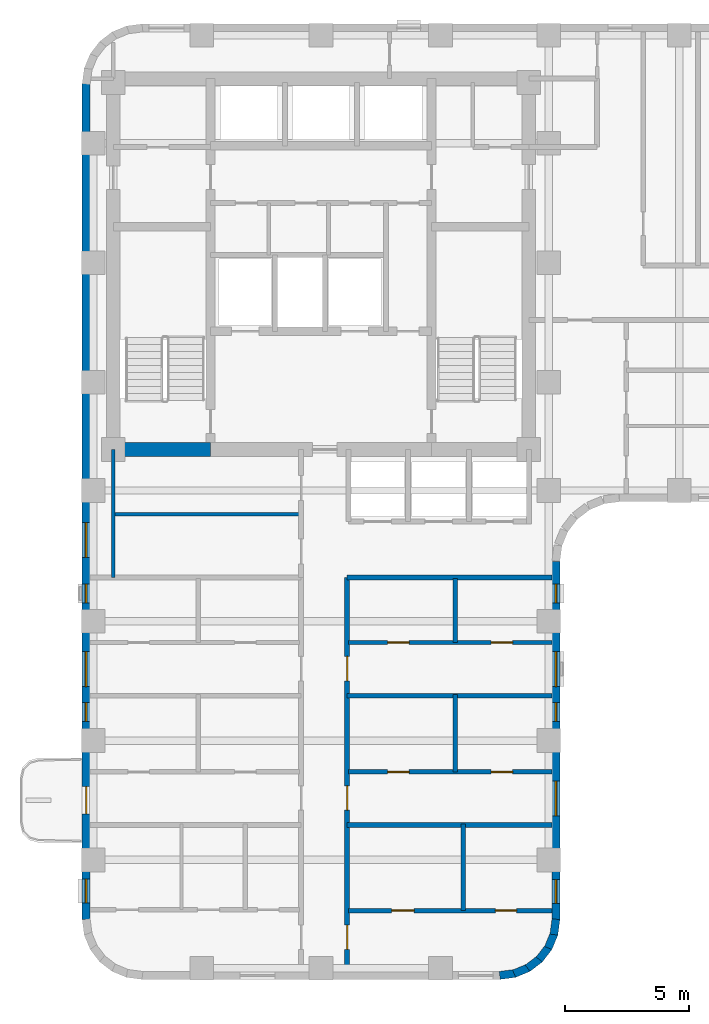
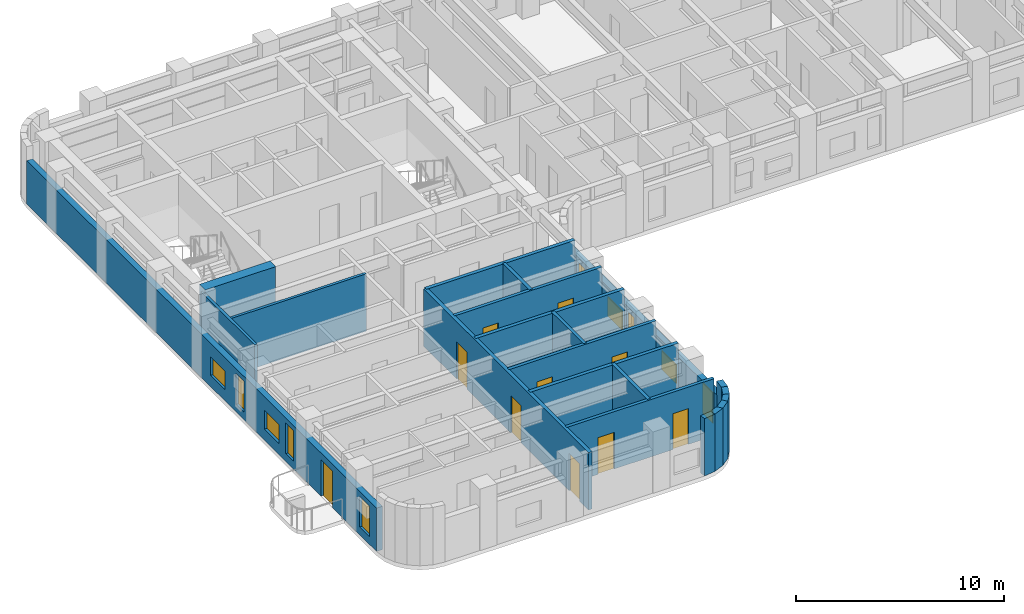
# One storey, part 3 of 10: 21 walls, 10 doors, 10 windows, 20 openings.
"""IFC4 building model written with IfcOpenShell, lengths in metres."""

from ifc_helpers import new_model, si_unit, direction, frame, frame_2d, origin, place, context, subcontext, project, spatial, rectangle, extrude, material, layer, layer_set, type_object, element, fill, save


model = new_model("IFC4")

# Units and contexts
model_context = context("Model", 3, precision=1e-05, world=origin(), true_north=direction((0.0, 1.0)))
body_context = subcontext(model_context, "Body", "Model", "MODEL_VIEW")
ifc_project = project(units=[si_unit("LENGTHUNIT", "METRE"), si_unit("AREAUNIT", "SQUARE_METRE"), si_unit("VOLUMEUNIT", "CUBIC_METRE"), si_unit("PLANEANGLEUNIT", "RADIAN"), si_unit("MASSUNIT", "GRAM", prefix="KILO")], contexts=[model_context])

# Site, building, storey
site_placement = place(None, origin())
site = spatial("IfcSite", under=ifc_project, at=site_placement, CompositionType="ELEMENT")
building_placement = place(site_placement, origin())
building = spatial("IfcBuilding", under=site, at=building_placement, Name="Orvandelia Arch Residences", CompositionType="ELEMENT")
storey_placement = place(building_placement, frame((0.0, 0.0, 114.39990234375)))
storey = spatial("IfcBuildingStorey", under=building, at=storey_placement, Name="L29", CompositionType="ELEMENT", Elevation=114.39990234375)

# Wall
ifc_material_1 = material(Name="Concrete C60/75", Category="concrete")
ifc_layer_1 = layer(ifc_material_1, 0.550048828125, Name="Concrete C60/75", Category="concrete")
ifc_layer_set_1 = layer_set([ifc_layer_1], Name="Concrete C60/75")
wall_type_1 = type_object("IfcWallType", Name="WL-CORE-550", PredefinedType="SHEAR", material=ifc_layer_set_1)
wall_1_placement = place(storey_placement, frame((6.050048828125, 30.89990234375, 0.0), z_axis=(0.0, 0.0, 1.0), x_axis=(1.0, 0.0, 0.0)))
element("IfcWall", 1, at=wall_1_placement, inside=storey, type_object=wall_type_1, Name="Core Shear Wall L29-SW", PredefinedType="SHEAR", context=body_context, shape_type="SweptSolid", body=[
    extrude(rectangle(XDim=3.909912109375, YDim=0.550048828125, at=frame_2d((1.955078125, 0.0))), origin(), (0.0, 0.0, 1.0), 3.60009765625),
])

# Wall, openings, doors
ifc_material_2 = material(Name="Fire-Rated Corridor Partition")
ifc_layer_2 = layer(ifc_material_2, 0.199951171875, Name="Fire-Rated Corridor Partition")
ifc_layer_set_2 = layer_set([ifc_layer_2], Name="Fire-Rated Corridor Partition")
wall_type_2 = type_object("IfcWallType", Name="WL-CORR-200", PredefinedType="PARTITIONING", material=ifc_layer_set_2)
wall_2_placement = place(storey_placement, frame((15.449951171875, 9.919921875, 0.0), z_axis=(0.0, 0.0, 1.0), x_axis=(0.0, 1.0, 0.0)))
wall_2 = element("IfcWall", 2, at=wall_2_placement, inside=storey, type_object=wall_type_2, Name="Interior Partition Wall WL-L29-WC-E", PredefinedType="PARTITIONING", context=body_context, shape_type="SweptSolid", body=[
    extrude(rectangle(XDim=15.830078125, YDim=0.199951171875, at=frame_2d((7.9150390625, 0.0))), origin(), (0.0, 0.0, 1.0), 3.360107421875),
])
opening_1_placement = place(wall_2_placement, frame((0.881103515625, 0.0, 0.0)))
opening_1 = element("IfcOpeningElement", 3, at=opening_1_placement, cuts=wall_2, Name="Opening D1", PredefinedType="OPENING", context=body_context, shape_type="SweptSolid", body=[
    extrude(rectangle(XDim=0.97998046875, YDim=2.179931640625, at=frame_2d((0.489990234375, 1.08984375))), frame((0.0, 0.10986328125, 0.0), z_axis=(0.0, -1.0, 0.0), x_axis=(1.0, 0.0, 0.0)), (0.0, 0.0, 1.0), 0.219970703125),
])
opening_2_placement = place(wall_2_placement, frame((6.47998046875, 0.0, 0.0)))
opening_2 = element("IfcOpeningElement", 4, at=opening_2_placement, cuts=wall_2, Name="Opening D1", PredefinedType="OPENING", context=body_context, shape_type="SweptSolid", body=[
    extrude(rectangle(XDim=0.97998046875, YDim=2.179931640625, at=frame_2d((0.489990234375, 1.08984375))), frame((0.0, 0.10986328125, 0.0), z_axis=(0.0, -1.0, 0.0), x_axis=(1.0, 0.0, 0.0)), (0.0, 0.0, 1.0), 0.219970703125),
])
opening_3_placement = place(wall_2_placement, frame((11.679931640625, 0.0, 0.0)))
opening_3 = element("IfcOpeningElement", 5, at=opening_3_placement, cuts=wall_2, Name="Opening D1", PredefinedType="OPENING", context=body_context, shape_type="SweptSolid", body=[
    extrude(rectangle(XDim=0.97998046875, YDim=2.179931640625, at=frame_2d((0.489990234375, 1.08984375))), frame((0.0, 0.10986328125, 0.0), z_axis=(0.0, -1.0, 0.0), x_axis=(1.0, 0.0, 0.0)), (0.0, 0.0, 1.0), 0.219970703125),
])
ifc_material_3 = material(Name="Solid-Core Timber Acoustic Fire Door", Category="wood")
door_type_1 = type_object("IfcDoorType", Name="DR-ENT-980", OperationType="NOTDEFINED", PredefinedType="DOOR", material=ifc_material_3)
door_1_placement = place(opening_1_placement, origin())
door_1 = element("IfcDoor", 6, at=door_1_placement, inside=storey, type_object=door_type_1, Name="Unit L29-04 Entrance Door", OperationType="SINGLE_SWING_RIGHT", OverallHeight=2.179931640625, OverallWidth=0.97998046875, PredefinedType="DOOR", context=body_context, shape_type="SweptSolid", body=[
    extrude(rectangle(XDim=0.97998046875, YDim=2.179931640625, at=frame_2d((0.489990234375, 1.08984375))), frame((0.0, 0.02490234375, 0.0), z_axis=(0.0, -1.0, 0.0), x_axis=(1.0, 0.0, 0.0)), (0.0, 0.0, 1.0), 0.050048828125),
])
fill(opening_1, door_1)
door_2_placement = place(opening_2_placement, origin())
door_2 = element("IfcDoor", 7, at=door_2_placement, inside=storey, type_object=door_type_1, Name="Unit L29-05 Entrance Door", OperationType="SINGLE_SWING_LEFT", OverallHeight=2.179931640625, OverallWidth=0.97998046875, PredefinedType="DOOR", context=body_context, shape_type="SweptSolid", body=[
    extrude(rectangle(XDim=0.97998046875, YDim=2.179931640625, at=frame_2d((0.489990234375, 1.08984375))), frame((0.0, 0.02490234375, 0.0), z_axis=(0.0, -1.0, 0.0), x_axis=(1.0, 0.0, 0.0)), (0.0, 0.0, 1.0), 0.050048828125),
])
fill(opening_2, door_2)
door_3_placement = place(opening_3_placement, origin())
door_3 = element("IfcDoor", 8, at=door_3_placement, inside=storey, type_object=door_type_1, Name="Unit L29-06 Entrance Door", OperationType="SINGLE_SWING_RIGHT", OverallHeight=2.179931640625, OverallWidth=0.97998046875, PredefinedType="DOOR", context=body_context, shape_type="SweptSolid", body=[
    extrude(rectangle(XDim=0.97998046875, YDim=2.179931640625, at=frame_2d((0.489990234375, 1.08984375))), frame((0.0, 0.02490234375, 0.0), z_axis=(0.0, -1.0, 0.0), x_axis=(1.0, 0.0, 0.0)), (0.0, 0.0, 1.0), 0.050048828125),
])
fill(opening_3, door_3)

# Walls
wall_3_placement = place(storey_placement, frame((15.449951171875, 25.75, 0.0), z_axis=(0.0, 0.0, 1.0), x_axis=(1.0, 0.0, 0.0)))
element("IfcWall", 9, at=wall_3_placement, inside=storey, type_object=wall_type_2, Name="Interior Partition Wall WL-L29-WCLS-E", PredefinedType="PARTITIONING", context=body_context, shape_type="SweptSolid", body=[
    extrude(rectangle(XDim=8.22998046875, YDim=0.199951171875, at=frame_2d((4.114990234375, 0.0))), origin(), (0.0, 0.0, 1.0), 3.360107421875),
])
ifc_material_4 = material(Name="Concrete C40/50", Category="concrete")
ifc_layer_3 = layer(ifc_material_4, 0.199951171875, Name="Concrete C40/50", Category="concrete")
ifc_layer_set_3 = layer_set([ifc_layer_3], Name="Concrete C40/50")
wall_type_3 = type_object("IfcWallType", Name="WL-DEM-200", PredefinedType="SOLIDWALL", material=ifc_layer_set_3)
for number, where, z_axis, x_axis, name in (
    (10, (15.449951171875, 15.800048828125, 0.0), (0.0, 0.0, 1.0), (1.0, 0.0, 0.0), "Interior Partition Wall WL-L29-DEM-WR-158"),
    (11, (15.449951171875, 21.0, 0.0), (0.0, 0.0, 1.0), (1.0, 0.0, 0.0), "Interior Partition Wall WL-L29-DEM-WR-210"),
):
    element("IfcWall", number, at=place(storey_placement, frame(where, z_axis=z_axis, x_axis=x_axis)), inside=storey, type_object=wall_type_3, Name=name, PredefinedType="SOLIDWALL", context=body_context, shape_type="SweptSolid", body=[
        extrude(rectangle(XDim=8.22998046875, YDim=0.199951171875, at=frame_2d((4.114990234375, 0.0))), origin(), (0.0, 0.0, 1.0), 3.360107421875),
    ])

# Wall, openings, windows
ifc_material_5 = material(Name="Precast concrete C40/50", Category="concrete")
ifc_layer_4 = layer(ifc_material_5, 0.320068359375, Name="Precast concrete C40/50", Category="concrete")
ifc_layer_set_4 = layer_set([ifc_layer_4], Name="Precast concrete C40/50")
wall_type_4 = type_object("IfcWallType", Name="WL-EXT-STONE-320", PredefinedType="STANDARD", material=ifc_layer_set_4)
wall_4_placement = place(storey_placement, frame((23.840087890625, 26.39990234375, 0.0), z_axis=(0.0, 0.0, 1.0), x_axis=(0.0, -1.0, 0.0)))
wall_4 = element("IfcWall", 12, at=wall_4_placement, inside=storey, type_object=wall_type_4, Name="Coral-Limestone Precast Facade Wall L29-028", PredefinedType="STANDARD", context=body_context, shape_type="SweptSolid", body=[
    extrude(rectangle(XDim=14.39990234375, YDim=0.320068359375, at=frame_2d((7.199951171875, 0.0))), origin(), (0.0, 0.0, 1.0), 2.5400390625),
])
opening_4_placement = place(wall_4_placement, frame((8.830078125, 0.0, 0.64990234375)))
opening_4 = element("IfcOpeningElement", 13, at=opening_4_placement, cuts=wall_4, Name="Opening W10", PredefinedType="OPENING", context=body_context, shape_type="SweptSolid", body=[
    extrude(rectangle(XDim=1.39990234375, YDim=1.10009765625, at=frame_2d((0.699951171875, 0.550048828125))), frame((0.0, 0.169921875, 0.0), z_axis=(0.0, -1.0, 0.0), x_axis=(1.0, 0.0, 0.0)), (0.0, 0.0, 1.0), 0.340087890625),
])
opening_5_placement = place(wall_4_placement, frame((3.6298828125, 0.0, 0.64990234375)))
opening_5 = element("IfcOpeningElement", 14, at=opening_5_placement, cuts=wall_4, Name="Opening W10", PredefinedType="OPENING", context=body_context, shape_type="SweptSolid", body=[
    extrude(rectangle(XDim=1.39990234375, YDim=1.10009765625, at=frame_2d((0.699951171875, 0.550048828125))), frame((0.0, 0.169921875, 0.0), z_axis=(0.0, -1.0, 0.0), x_axis=(1.0, 0.0, 0.0)), (0.0, 0.0, 1.0), 0.340087890625),
])
opening_6_placement = place(wall_4_placement, frame((12.79052734375, 0.0, 0.449951171875)))
opening_6 = element("IfcOpeningElement", 15, at=opening_6_placement, cuts=wall_4, Name="Opening W4", PredefinedType="OPENING", context=body_context, shape_type="SweptSolid", body=[
    extrude(rectangle(XDim=0.949951171875, YDim=1.800048828125, at=frame_2d((0.47509765625, 0.89990234375))), frame((0.0, 0.169921875, 0.0), z_axis=(0.0, -1.0, 0.0), x_axis=(1.0, 0.0, 0.0)), (0.0, 0.0, 1.0), 0.340087890625),
])
opening_7_placement = place(wall_4_placement, frame((5.677490234375, 0.0, 0.449951171875)))
opening_7 = element("IfcOpeningElement", 16, at=opening_7_placement, cuts=wall_4, Name="Opening W11", PredefinedType="OPENING", context=body_context, shape_type="SweptSolid", body=[
    extrude(rectangle(XDim=0.75, YDim=1.800048828125, at=frame_2d((0.375, 0.89990234375))), frame((0.0, 0.169921875, 0.0), z_axis=(0.0, -1.0, 0.0), x_axis=(1.0, 0.0, 0.0)), (0.0, 0.0, 1.0), 0.340087890625),
])
opening_8_placement = place(wall_4_placement, frame((0.91748046875, 0.0, 0.449951171875)))
opening_8 = element("IfcOpeningElement", 17, at=opening_8_placement, cuts=wall_4, Name="Opening W11", PredefinedType="OPENING", context=body_context, shape_type="SweptSolid", body=[
    extrude(rectangle(XDim=0.75, YDim=1.800048828125, at=frame_2d((0.375, 0.89990234375))), frame((0.0, 0.169921875, 0.0), z_axis=(0.0, -1.0, 0.0), x_axis=(1.0, 0.0, 0.0)), (0.0, 0.0, 1.0), 0.340087890625),
])
ifc_material_6 = material(Name="Tempered Low-E Insulated Glazing", Category="glass")
window_type_1 = type_object("IfcWindowType", Name="WIN-BED-0750x1800", PartitioningType="SINGLE_PANEL", PredefinedType="WINDOW", material=ifc_material_6)
window_1_placement = place(opening_7_placement, origin())
window_1 = element("IfcWindow", 18, at=window_1_placement, inside=storey, type_object=window_type_1, Name="Recessed Punched Window L29-020", OverallHeight=1.800048828125, OverallWidth=0.75, PartitioningType="SINGLE_PANEL", PredefinedType="WINDOW", context=body_context, shape_type="SweptSolid", body=[
    extrude(rectangle(XDim=0.75, YDim=1.800048828125, at=frame_2d((0.375, 0.89990234375))), frame((0.0, 0.030029296875, 0.0), z_axis=(0.0, -1.0, 0.0), x_axis=(1.0, 0.0, 0.0)), (0.0, 0.0, 1.0), 0.06005859375),
])
fill(opening_7, window_1)
window_2_placement = place(opening_8_placement, origin())
window_2 = element("IfcWindow", 19, at=window_2_placement, inside=storey, type_object=window_type_1, Name="Recessed Punched Window L29-021", OverallHeight=1.800048828125, OverallWidth=0.75, PartitioningType="SINGLE_PANEL", PredefinedType="WINDOW", context=body_context, shape_type="SweptSolid", body=[
    extrude(rectangle(XDim=0.75, YDim=1.800048828125, at=frame_2d((0.375, 0.89990234375))), frame((0.0, 0.030029296875, 0.0), z_axis=(0.0, -1.0, 0.0), x_axis=(1.0, 0.0, 0.0)), (0.0, 0.0, 1.0), 0.06005859375),
])
fill(opening_8, window_2)
window_type_2 = type_object("IfcWindowType", Name="WIN-CLR-1400x1100", PartitioningType="SINGLE_PANEL", PredefinedType="WINDOW", material=ifc_material_6)
window_3_placement = place(opening_4_placement, origin())
window_3 = element("IfcWindow", 20, at=window_3_placement, inside=storey, type_object=window_type_2, Name="Recessed Punched Window L29-017", OverallHeight=1.10009765625, OverallWidth=1.39990234375, PartitioningType="SINGLE_PANEL", PredefinedType="WINDOW", context=body_context, shape_type="SweptSolid", body=[
    extrude(rectangle(XDim=1.39990234375, YDim=1.10009765625, at=frame_2d((0.699951171875, 0.550048828125))), frame((0.0, 0.030029296875, 0.0), z_axis=(0.0, -1.0, 0.0), x_axis=(1.0, 0.0, 0.0)), (0.0, 0.0, 1.0), 0.06005859375),
])
fill(opening_4, window_3)
window_4_placement = place(opening_5_placement, origin())
window_4 = element("IfcWindow", 21, at=window_4_placement, inside=storey, type_object=window_type_2, Name="Recessed Punched Window L29-018", OverallHeight=1.10009765625, OverallWidth=1.39990234375, PartitioningType="SINGLE_PANEL", PredefinedType="WINDOW", context=body_context, shape_type="SweptSolid", body=[
    extrude(rectangle(XDim=1.39990234375, YDim=1.10009765625, at=frame_2d((0.699951171875, 0.550048828125))), frame((0.0, 0.030029296875, 0.0), z_axis=(0.0, -1.0, 0.0), x_axis=(1.0, 0.0, 0.0)), (0.0, 0.0, 1.0), 0.06005859375),
])
fill(opening_5, window_4)
window_type_3 = type_object("IfcWindowType", Name="WIN-RES-0950x1800", PartitioningType="SINGLE_PANEL", PredefinedType="WINDOW", material=ifc_material_6)
window_5_placement = place(opening_6_placement, origin())
window_5 = element("IfcWindow", 22, at=window_5_placement, inside=storey, type_object=window_type_3, Name="Recessed Punched Window L29-019", OverallHeight=1.800048828125, OverallWidth=0.949951171875, PartitioningType="SINGLE_PANEL", PredefinedType="WINDOW", context=body_context, shape_type="SweptSolid", body=[
    extrude(rectangle(XDim=0.949951171875, YDim=1.800048828125, at=frame_2d((0.47509765625, 0.89990234375))), frame((0.0, 0.030029296875, 0.0), z_axis=(0.0, -1.0, 0.0), x_axis=(1.0, 0.0, 0.0)), (0.0, 0.0, 1.0), 0.06005859375),
])
fill(opening_6, window_5)

# Walls
wall_5_placement = place(storey_placement, frame((23.84130859375, 12.02099609375, 0.0), z_axis=(0.0, 0.0, 1.0), x_axis=(-0.130504898859, -0.991447664465, 0.0)))
element("IfcWall", 23, at=wall_5_placement, inside=storey, type_object=wall_type_4, Name="Coral-Limestone Precast Facade Wall L29-029", PredefinedType="STANDARD", context=body_context, shape_type="SweptSolid", body=[
    extrude(rectangle(XDim=0.626708984375, YDim=0.320068359375, at=frame_2d((0.3134765625, 0.0))), origin(), (0.0, 0.0, 1.0), 3.360107421875),
])
for number, where, z_axis, x_axis, name in (
    (24, (23.7705078125, 11.43994140625, 0.0), (0.0, 0.0, 1.0), (-0.382650053678, -0.92389335771, 0.0), "Coral-Limestone Precast Facade Wall L29-030"),
    (25, (23.551513671875, 10.8974609375, 0.0), (0.0, 0.0, 1.0), (-0.608693302629, -0.793405610854, 0.0), "Coral-Limestone Precast Facade Wall L29-031"),
    (26, (23.19970703125, 10.4296875, 0.0), (0.0, 0.0, 1.0), (-0.793405610854, -0.608693302629, 0.0), "Coral-Limestone Precast Facade Wall L29-032"),
    (27, (22.73876953125, 10.0693359375, 0.0), (0.0, 0.0, 1.0), (-0.92389335771, -0.382650053678, 0.0), "Coral-Limestone Precast Facade Wall L29-033"),
    (28, (22.2001953125, 9.84033203125, 0.0), (0.0, 0.0, 1.0), (-0.9914410257, -0.130555323746, 0.0), "Coral-Limestone Precast Facade Wall L29-034"),
):
    element("IfcWall", number, at=place(storey_placement, frame(where, z_axis=z_axis, x_axis=x_axis)), inside=storey, type_object=wall_type_4, Name=name, PredefinedType="STANDARD", context=body_context, shape_type="SweptSolid", body=[
        extrude(rectangle(XDim=0.62646484375, YDim=0.320068359375, at=frame_2d((0.313232421875, 0.0))), origin(), (0.0, 0.0, 1.0), 3.360107421875),
    ])

# Wall, openings, door, windows
wall_6_placement = place(storey_placement, frame((4.9599609375, 12.0, 0.0), z_axis=(0.0, 0.0, 1.0), x_axis=(0.0, 1.0, 0.0)))
wall_6 = element("IfcWall", 29, at=wall_6_placement, inside=storey, type_object=wall_type_4, Name="Coral-Limestone Precast Facade Wall L29-042", PredefinedType="STANDARD", context=body_context, shape_type="SweptSolid", body=[
    extrude(rectangle(XDim=33.60009765625, YDim=0.320068359375, at=frame_2d((16.800048828125, 0.0))), origin(), (0.0, 0.0, 1.0), 2.5400390625),
])
opening_9_placement = place(wall_6_placement, frame((4.25, 0.0, 0.0)))
opening_9 = element("IfcOpeningElement", 30, at=opening_9_placement, cuts=wall_6, Name="Opening BD1", PredefinedType="OPENING", context=body_context, shape_type="SweptSolid", body=[
    extrude(rectangle(XDim=1.10009765625, YDim=2.14990234375, at=frame_2d((0.550048828125, 1.074951171875))), frame((0.0, 0.169921875, 0.0), z_axis=(0.0, -1.0, 0.0), x_axis=(1.0, 0.0, 0.0)), (0.0, 0.0, 1.0), 0.340087890625),
])
opening_10_placement = place(wall_6_placement, frame((0.678466796875, 0.0, 0.449951171875)))
opening_10 = element("IfcOpeningElement", 31, at=opening_10_placement, cuts=wall_6, Name="Opening W4", PredefinedType="OPENING", context=body_context, shape_type="SweptSolid", body=[
    extrude(rectangle(XDim=0.949951171875, YDim=1.800048828125, at=frame_2d((0.47509765625, 0.89990234375))), frame((0.0, 0.169921875, 0.0), z_axis=(0.0, -1.0, 0.0), x_axis=(1.0, 0.0, 0.0)), (0.0, 0.0, 1.0), 0.340087890625),
])
opening_11_placement = place(wall_6_placement, frame((9.3701171875, 0.0, 0.64990234375)))
opening_11 = element("IfcOpeningElement", 32, at=opening_11_placement, cuts=wall_6, Name="Opening W10", PredefinedType="OPENING", context=body_context, shape_type="SweptSolid", body=[
    extrude(rectangle(XDim=1.39990234375, YDim=1.10009765625, at=frame_2d((0.699951171875, 0.550048828125))), frame((0.0, 0.169921875, 0.0), z_axis=(0.0, -1.0, 0.0), x_axis=(1.0, 0.0, 0.0)), (0.0, 0.0, 1.0), 0.340087890625),
])
opening_12_placement = place(wall_6_placement, frame((7.972412109375, 0.0, 0.449951171875)))
opening_12 = element("IfcOpeningElement", 33, at=opening_12_placement, cuts=wall_6, Name="Opening W11", PredefinedType="OPENING", context=body_context, shape_type="SweptSolid", body=[
    extrude(rectangle(XDim=0.75, YDim=1.800048828125, at=frame_2d((0.375, 0.89990234375))), frame((0.0, 0.169921875, 0.0), z_axis=(0.0, -1.0, 0.0), x_axis=(1.0, 0.0, 0.0)), (0.0, 0.0, 1.0), 0.340087890625),
])
opening_13_placement = place(wall_6_placement, frame((12.732421875, 0.0, 0.449951171875)))
opening_13 = element("IfcOpeningElement", 34, at=opening_13_placement, cuts=wall_6, Name="Opening W11", PredefinedType="OPENING", context=body_context, shape_type="SweptSolid", body=[
    extrude(rectangle(XDim=0.75, YDim=1.800048828125, at=frame_2d((0.375, 0.89990234375))), frame((0.0, 0.169921875, 0.0), z_axis=(0.0, -1.0, 0.0), x_axis=(1.0, 0.0, 0.0)), (0.0, 0.0, 1.0), 0.340087890625),
])
opening_14_placement = place(wall_6_placement, frame((14.5576171875, 0.0, 0.64990234375)))
opening_14 = element("IfcOpeningElement", 35, at=opening_14_placement, cuts=wall_6, Name="Opening W10", PredefinedType="OPENING", context=body_context, shape_type="SweptSolid", body=[
    extrude(rectangle(XDim=1.39990234375, YDim=1.10009765625, at=frame_2d((0.699951171875, 0.550048828125))), frame((0.0, 0.169921875, 0.0), z_axis=(0.0, -1.0, 0.0), x_axis=(1.0, 0.0, 0.0)), (0.0, 0.0, 1.0), 0.340087890625),
])
ifc_material_7 = material(Name="Thermally Broken Aluminium Glazed Door", Category="aluminium")
door_type_2 = type_object("IfcDoorType", Name="DR-BAL-GLAZ-1100", OperationType="NOTDEFINED", PredefinedType="DOOR", material=ifc_material_7)
door_4_placement = place(opening_9_placement, origin())
door_4 = element("IfcDoor", 36, at=door_4_placement, inside=storey, type_object=door_type_2, Name="Tree Balcony Glazed Door BAL-L29-W1", OperationType="SINGLE_SWING_RIGHT", OverallHeight=2.14990234375, OverallWidth=1.10009765625, PredefinedType="DOOR", context=body_context, shape_type="SweptSolid", body=[
    extrude(rectangle(XDim=1.10009765625, YDim=2.14990234375, at=frame_2d((0.550048828125, 1.074951171875))), frame((0.0, 0.02490234375, 0.0), z_axis=(0.0, -1.0, 0.0), x_axis=(1.0, 0.0, 0.0)), (0.0, 0.0, 1.0), 0.050048828125),
])
fill(opening_9, door_4)
window_6_placement = place(opening_12_placement, origin())
window_6 = element("IfcWindow", 37, at=window_6_placement, inside=storey, type_object=window_type_1, Name="Recessed Punched Window L29-026", OverallHeight=1.800048828125, OverallWidth=0.75, PartitioningType="SINGLE_PANEL", PredefinedType="WINDOW", context=body_context, shape_type="SweptSolid", body=[
    extrude(rectangle(XDim=0.75, YDim=1.800048828125, at=frame_2d((0.375, 0.89990234375))), frame((0.0, 0.030029296875, 0.0), z_axis=(0.0, -1.0, 0.0), x_axis=(1.0, 0.0, 0.0)), (0.0, 0.0, 1.0), 0.06005859375),
])
fill(opening_12, window_6)
window_7_placement = place(opening_13_placement, origin())
window_7 = element("IfcWindow", 38, at=window_7_placement, inside=storey, type_object=window_type_1, Name="Recessed Punched Window L29-027", OverallHeight=1.800048828125, OverallWidth=0.75, PartitioningType="SINGLE_PANEL", PredefinedType="WINDOW", context=body_context, shape_type="SweptSolid", body=[
    extrude(rectangle(XDim=0.75, YDim=1.800048828125, at=frame_2d((0.375, 0.89990234375))), frame((0.0, 0.030029296875, 0.0), z_axis=(0.0, -1.0, 0.0), x_axis=(1.0, 0.0, 0.0)), (0.0, 0.0, 1.0), 0.06005859375),
])
fill(opening_13, window_7)
window_8_placement = place(opening_11_placement, origin())
window_8 = element("IfcWindow", 39, at=window_8_placement, inside=storey, type_object=window_type_2, Name="Recessed Punched Window L29-025", OverallHeight=1.10009765625, OverallWidth=1.39990234375, PartitioningType="SINGLE_PANEL", PredefinedType="WINDOW", context=body_context, shape_type="SweptSolid", body=[
    extrude(rectangle(XDim=1.39990234375, YDim=1.10009765625, at=frame_2d((0.699951171875, 0.550048828125))), frame((0.0, 0.030029296875, 0.0), z_axis=(0.0, -1.0, 0.0), x_axis=(1.0, 0.0, 0.0)), (0.0, 0.0, 1.0), 0.06005859375),
])
fill(opening_11, window_8)
window_9_placement = place(opening_14_placement, origin())
window_9 = element("IfcWindow", 40, at=window_9_placement, inside=storey, type_object=window_type_2, Name="Recessed Punched Window L29-028", OverallHeight=1.10009765625, OverallWidth=1.39990234375, PartitioningType="SINGLE_PANEL", PredefinedType="WINDOW", context=body_context, shape_type="SweptSolid", body=[
    extrude(rectangle(XDim=1.39990234375, YDim=1.10009765625, at=frame_2d((0.699951171875, 0.550048828125))), frame((0.0, 0.030029296875, 0.0), z_axis=(0.0, -1.0, 0.0), x_axis=(1.0, 0.0, 0.0)), (0.0, 0.0, 1.0), 0.06005859375),
])
fill(opening_14, window_9)
window_10_placement = place(opening_10_placement, origin())
window_10 = element("IfcWindow", 41, at=window_10_placement, inside=storey, type_object=window_type_3, Name="Recessed Punched Window L29-024", OverallHeight=1.800048828125, OverallWidth=0.949951171875, PartitioningType="SINGLE_PANEL", PredefinedType="WINDOW", context=body_context, shape_type="SweptSolid", body=[
    extrude(rectangle(XDim=0.949951171875, YDim=1.800048828125, at=frame_2d((0.47509765625, 0.89990234375))), frame((0.0, 0.030029296875, 0.0), z_axis=(0.0, -1.0, 0.0), x_axis=(1.0, 0.0, 0.0)), (0.0, 0.0, 1.0), 0.06005859375),
])
fill(opening_10, window_10)

# Walls
ifc_material_8 = material(Name="Acoustic Gypsum Stud Partition")
ifc_layer_5 = layer(ifc_material_8, 0.14990234375, Name="Acoustic Gypsum Stud Partition")
ifc_layer_set_5 = layer_set([ifc_layer_5], Name="Acoustic Gypsum Stud Partition")
wall_type_5 = type_object("IfcWallType", Name="WL-PART-150", PredefinedType="PARTITIONING", material=ifc_layer_set_5)
wall_7_placement = place(storey_placement, frame((6.050048828125, 25.75, 0.0), z_axis=(0.0, 0.0, 1.0), x_axis=(0.0, 1.0, 0.0)))
element("IfcWall", 42, at=wall_7_placement, inside=storey, type_object=wall_type_5, Name="Interior Partition Wall WL-L29-B1REUSE-W", PredefinedType="PARTITIONING", context=body_context, shape_type="SweptSolid", body=[
    extrude(rectangle(XDim=5.14990234375, YDim=0.14990234375, at=frame_2d((2.574951171875, 0.0))), origin(), (0.0, 0.0, 1.0), 3.360107421875),
])
wall_8_placement = place(storey_placement, frame((6.050048828125, 28.300048828125, 0.0), z_axis=(0.0, 0.0, 1.0), x_axis=(1.0, 0.0, 0.0)))
element("IfcWall", 43, at=wall_8_placement, inside=storey, type_object=wall_type_5, Name="Interior Partition Wall WL-L29-B1R-H", PredefinedType="PARTITIONING", context=body_context, shape_type="SweptSolid", body=[
    extrude(rectangle(XDim=7.550048828125, YDim=0.14990234375, at=frame_2d((3.77490234375, 0.0))), origin(), (0.0, 0.0, 1.0), 3.360107421875),
])

# Wall, openings, doors
ifc_material_9 = material(Name="Moisture-Resistant Plumbing Wall")
ifc_layer_6 = layer(ifc_material_9, 0.179931640625, Name="Moisture-Resistant Plumbing Wall")
ifc_layer_set_6 = layer_set([ifc_layer_6], Name="Moisture-Resistant Plumbing Wall")
wall_type_6 = type_object("IfcWallType", Name="WL-WET-180", PredefinedType="PLUMBINGWALL", material=ifc_layer_set_6)
wall_9_placement = place(storey_placement, frame((15.510009765625, 12.364013671875, 0.0), z_axis=(0.0, 0.0, 1.0), x_axis=(1.0, 0.0, 0.0)))
wall_9 = element("IfcWall", 44, at=wall_9_placement, inside=storey, type_object=wall_type_6, Name="Interior Partition Wall WL-L29-U04-HZ", PredefinedType="PLUMBINGWALL", context=body_context, shape_type="SweptSolid", body=[
    extrude(rectangle(XDim=8.169921875, YDim=0.179931640625, at=frame_2d((4.0849609375, 0.0))), origin(), (0.0, 0.0, 1.0), 3.360107421875),
])
opening_15_placement = place(wall_9_placement, frame((1.7294921875, 0.0, 0.0)))
opening_15 = element("IfcOpeningElement", 45, at=opening_15_placement, cuts=wall_9, Name="Opening D3", PredefinedType="OPENING", context=body_context, shape_type="SweptSolid", body=[
    extrude(rectangle(XDim=0.89990234375, YDim=2.14990234375, at=frame_2d((0.449951171875, 1.074951171875))), frame((0.0, 0.10009765625, 0.0), z_axis=(0.0, -1.0, 0.0), x_axis=(1.0, 0.0, 0.0)), (0.0, 0.0, 1.0), 0.199951171875),
])
opening_16_placement = place(wall_9_placement, frame((5.89453125, 0.0, 0.0)))
opening_16 = element("IfcOpeningElement", 46, at=opening_16_placement, cuts=wall_9, Name="Opening D4", PredefinedType="OPENING", context=body_context, shape_type="SweptSolid", body=[
    extrude(rectangle(XDim=0.860107421875, YDim=2.10009765625, at=frame_2d((0.43017578125, 1.050048828125))), frame((0.0, 0.10009765625, 0.0), z_axis=(0.0, -1.0, 0.0), x_axis=(1.0, 0.0, 0.0)), (0.0, 0.0, 1.0), 0.199951171875),
])
ifc_material_10 = material(Name="Engineered Timber Flush Door", Category="wood")
door_type_3 = type_object("IfcDoorType", Name="DR-INT-900", OperationType="NOTDEFINED", PredefinedType="DOOR", material=ifc_material_10)
door_5_placement = place(opening_15_placement, origin())
door_5 = element("IfcDoor", 47, at=door_5_placement, inside=storey, type_object=door_type_3, Name="DR-L29-U04-KIT", OperationType="SINGLE_SWING_RIGHT", OverallHeight=2.14990234375, OverallWidth=0.89990234375, PredefinedType="DOOR", context=body_context, shape_type="SweptSolid", body=[
    extrude(rectangle(XDim=0.89990234375, YDim=2.14990234375, at=frame_2d((0.449951171875, 1.074951171875))), frame((0.0, 0.02490234375, 0.0), z_axis=(0.0, -1.0, 0.0), x_axis=(1.0, 0.0, 0.0)), (0.0, 0.0, 1.0), 0.050048828125),
])
fill(opening_15, door_5)
ifc_material_11 = material(Name="Moisture-Sealed Timber Bathroom Door", Category="wood")
door_type_4 = type_object("IfcDoorType", Name="DR-WET-900", OperationType="NOTDEFINED", PredefinedType="DOOR", material=ifc_material_11)
door_6_placement = place(opening_16_placement, origin())
door_6 = element("IfcDoor", 48, at=door_6_placement, inside=storey, type_object=door_type_4, Name="DR-L29-U04-BTH", OperationType="SINGLE_SWING_LEFT", OverallHeight=2.10009765625, OverallWidth=0.860107421875, PredefinedType="DOOR", context=body_context, shape_type="SweptSolid", body=[
    extrude(rectangle(XDim=0.860107421875, YDim=2.10009765625, at=frame_2d((0.43017578125, 1.050048828125))), frame((0.0, 0.02490234375, 0.0), z_axis=(0.0, -1.0, 0.0), x_axis=(1.0, 0.0, 0.0)), (0.0, 0.0, 1.0), 0.050048828125),
])
fill(opening_16, door_6)

# Wall
wall_10_placement = place(storey_placement, frame((20.118896484375, 12.364013671875, 0.0), z_axis=(0.0, 0.0, 1.0), x_axis=(0.0, 1.0, 0.0)))
element("IfcWall", 49, at=wall_10_placement, inside=storey, type_object=wall_type_6, Name="Interior Partition Wall WL-L29-U04-V1", PredefinedType="PLUMBINGWALL", context=body_context, shape_type="SweptSolid", body=[
    extrude(rectangle(XDim=3.47607421875, YDim=0.179931640625, at=frame_2d((1.738037109375, 0.0))), origin(), (0.0, 0.0, 1.0), 3.360107421875),
])

# Wall, openings, doors
wall_11_placement = place(storey_placement, frame((15.510009765625, 17.93994140625, 0.0), z_axis=(0.0, 0.0, 1.0), x_axis=(1.0, 0.0, 0.0)))
wall_11 = element("IfcWall", 50, at=wall_11_placement, inside=storey, type_object=wall_type_6, Name="Interior Partition Wall WL-L29-U05-HZ", PredefinedType="PLUMBINGWALL", context=body_context, shape_type="SweptSolid", body=[
    extrude(rectangle(XDim=8.169921875, YDim=0.179931640625, at=frame_2d((4.0849609375, 0.0))), origin(), (0.0, 0.0, 1.0), 3.360107421875),
])
opening_17_placement = place(wall_11_placement, frame((1.56494140625, 0.0, 0.0)))
opening_17 = element("IfcOpeningElement", 51, at=opening_17_placement, cuts=wall_11, Name="Opening D4", PredefinedType="OPENING", context=body_context, shape_type="SweptSolid", body=[
    extrude(rectangle(XDim=0.860107421875, YDim=2.10009765625, at=frame_2d((0.43017578125, 1.050048828125))), frame((0.0, 0.10009765625, 0.0), z_axis=(0.0, -1.0, 0.0), x_axis=(1.0, 0.0, 0.0)), (0.0, 0.0, 1.0), 0.199951171875),
])
opening_18_placement = place(wall_11_placement, frame((5.72998046875, 0.0, 0.0)))
opening_18 = element("IfcOpeningElement", 52, at=opening_18_placement, cuts=wall_11, Name="Opening D4", PredefinedType="OPENING", context=body_context, shape_type="SweptSolid", body=[
    extrude(rectangle(XDim=0.860107421875, YDim=2.10009765625, at=frame_2d((0.43017578125, 1.050048828125))), frame((0.0, 0.10009765625, 0.0), z_axis=(0.0, -1.0, 0.0), x_axis=(1.0, 0.0, 0.0)), (0.0, 0.0, 1.0), 0.199951171875),
])
door_7_placement = place(opening_17_placement, origin())
door_7 = element("IfcDoor", 53, at=door_7_placement, inside=storey, type_object=door_type_4, Name="DR-L29-U05-KIT", OperationType="SINGLE_SWING_LEFT", OverallHeight=2.10009765625, OverallWidth=0.860107421875, PredefinedType="DOOR", context=body_context, shape_type="SweptSolid", body=[
    extrude(rectangle(XDim=0.860107421875, YDim=2.10009765625, at=frame_2d((0.43017578125, 1.050048828125))), frame((0.0, 0.02490234375, 0.0), z_axis=(0.0, -1.0, 0.0), x_axis=(1.0, 0.0, 0.0)), (0.0, 0.0, 1.0), 0.050048828125),
])
fill(opening_17, door_7)
door_8_placement = place(opening_18_placement, origin())
door_8 = element("IfcDoor", 54, at=door_8_placement, inside=storey, type_object=door_type_4, Name="DR-L29-U05-BTH", OperationType="SINGLE_SWING_RIGHT", OverallHeight=2.10009765625, OverallWidth=0.860107421875, PredefinedType="DOOR", context=body_context, shape_type="SweptSolid", body=[
    extrude(rectangle(XDim=0.860107421875, YDim=2.10009765625, at=frame_2d((0.43017578125, 1.050048828125))), frame((0.0, 0.02490234375, 0.0), z_axis=(0.0, -1.0, 0.0), x_axis=(1.0, 0.0, 0.0)), (0.0, 0.0, 1.0), 0.050048828125),
])
fill(opening_18, door_8)

# Wall
wall_12_placement = place(storey_placement, frame((19.7900390625, 17.93994140625, 0.0), z_axis=(0.0, 0.0, 1.0), x_axis=(0.0, 1.0, 0.0)))
element("IfcWall", 55, at=wall_12_placement, inside=storey, type_object=wall_type_6, Name="Interior Partition Wall WL-L29-U05-V1", PredefinedType="PLUMBINGWALL", context=body_context, shape_type="SweptSolid", body=[
    extrude(rectangle(XDim=3.10009765625, YDim=0.179931640625, at=frame_2d((1.550048828125, 0.0))), origin(), (0.0, 0.0, 1.0), 3.360107421875),
])

# Wall, openings, doors
wall_13_placement = place(storey_placement, frame((15.510009765625, 23.139892578125, 0.0), z_axis=(0.0, 0.0, 1.0), x_axis=(1.0, 0.0, 0.0)))
wall_13 = element("IfcWall", 56, at=wall_13_placement, inside=storey, type_object=wall_type_6, Name="Interior Partition Wall WL-L29-U06-HZ", PredefinedType="PLUMBINGWALL", context=body_context, shape_type="SweptSolid", body=[
    extrude(rectangle(XDim=8.169921875, YDim=0.179931640625, at=frame_2d((4.0849609375, 0.0))), origin(), (0.0, 0.0, 1.0), 3.360107421875),
])
opening_19_placement = place(wall_13_placement, frame((1.56494140625, 0.0, 0.0)))
opening_19 = element("IfcOpeningElement", 57, at=opening_19_placement, cuts=wall_13, Name="Opening D4", PredefinedType="OPENING", context=body_context, shape_type="SweptSolid", body=[
    extrude(rectangle(XDim=0.860107421875, YDim=2.10009765625, at=frame_2d((0.43017578125, 1.050048828125))), frame((0.0, 0.10009765625, 0.0), z_axis=(0.0, -1.0, 0.0), x_axis=(1.0, 0.0, 0.0)), (0.0, 0.0, 1.0), 0.199951171875),
])
opening_20_placement = place(wall_13_placement, frame((5.72998046875, 0.0, 0.0)))
opening_20 = element("IfcOpeningElement", 58, at=opening_20_placement, cuts=wall_13, Name="Opening D4", PredefinedType="OPENING", context=body_context, shape_type="SweptSolid", body=[
    extrude(rectangle(XDim=0.860107421875, YDim=2.10009765625, at=frame_2d((0.43017578125, 1.050048828125))), frame((0.0, 0.10009765625, 0.0), z_axis=(0.0, -1.0, 0.0), x_axis=(1.0, 0.0, 0.0)), (0.0, 0.0, 1.0), 0.199951171875),
])
door_9_placement = place(opening_19_placement, origin())
door_9 = element("IfcDoor", 59, at=door_9_placement, inside=storey, type_object=door_type_4, Name="DR-L29-U06-KIT", OperationType="SINGLE_SWING_RIGHT", OverallHeight=2.10009765625, OverallWidth=0.860107421875, PredefinedType="DOOR", context=body_context, shape_type="SweptSolid", body=[
    extrude(rectangle(XDim=0.860107421875, YDim=2.10009765625, at=frame_2d((0.43017578125, 1.050048828125))), frame((0.0, 0.02490234375, 0.0), z_axis=(0.0, -1.0, 0.0), x_axis=(1.0, 0.0, 0.0)), (0.0, 0.0, 1.0), 0.050048828125),
])
fill(opening_19, door_9)
door_10_placement = place(opening_20_placement, origin())
door_10 = element("IfcDoor", 60, at=door_10_placement, inside=storey, type_object=door_type_4, Name="DR-L29-U06-BTH", OperationType="SINGLE_SWING_LEFT", OverallHeight=2.10009765625, OverallWidth=0.860107421875, PredefinedType="DOOR", context=body_context, shape_type="SweptSolid", body=[
    extrude(rectangle(XDim=0.860107421875, YDim=2.10009765625, at=frame_2d((0.43017578125, 1.050048828125))), frame((0.0, 0.02490234375, 0.0), z_axis=(0.0, -1.0, 0.0), x_axis=(1.0, 0.0, 0.0)), (0.0, 0.0, 1.0), 0.050048828125),
])
fill(opening_20, door_10)

# Wall
wall_14_placement = place(storey_placement, frame((19.7900390625, 23.139892578125, 0.0), z_axis=(0.0, 0.0, 1.0), x_axis=(0.0, 1.0, 0.0)))
element("IfcWall", 61, at=wall_14_placement, inside=storey, type_object=wall_type_6, Name="Interior Partition Wall WL-L29-U06-V1", PredefinedType="PLUMBINGWALL", context=body_context, shape_type="SweptSolid", body=[
    extrude(rectangle(XDim=2.580078125, YDim=0.179931640625, at=frame_2d((1.2900390625, 0.0))), origin(), (0.0, 0.0, 1.0), 3.360107421875),
])

save(model, "model.ifc")
